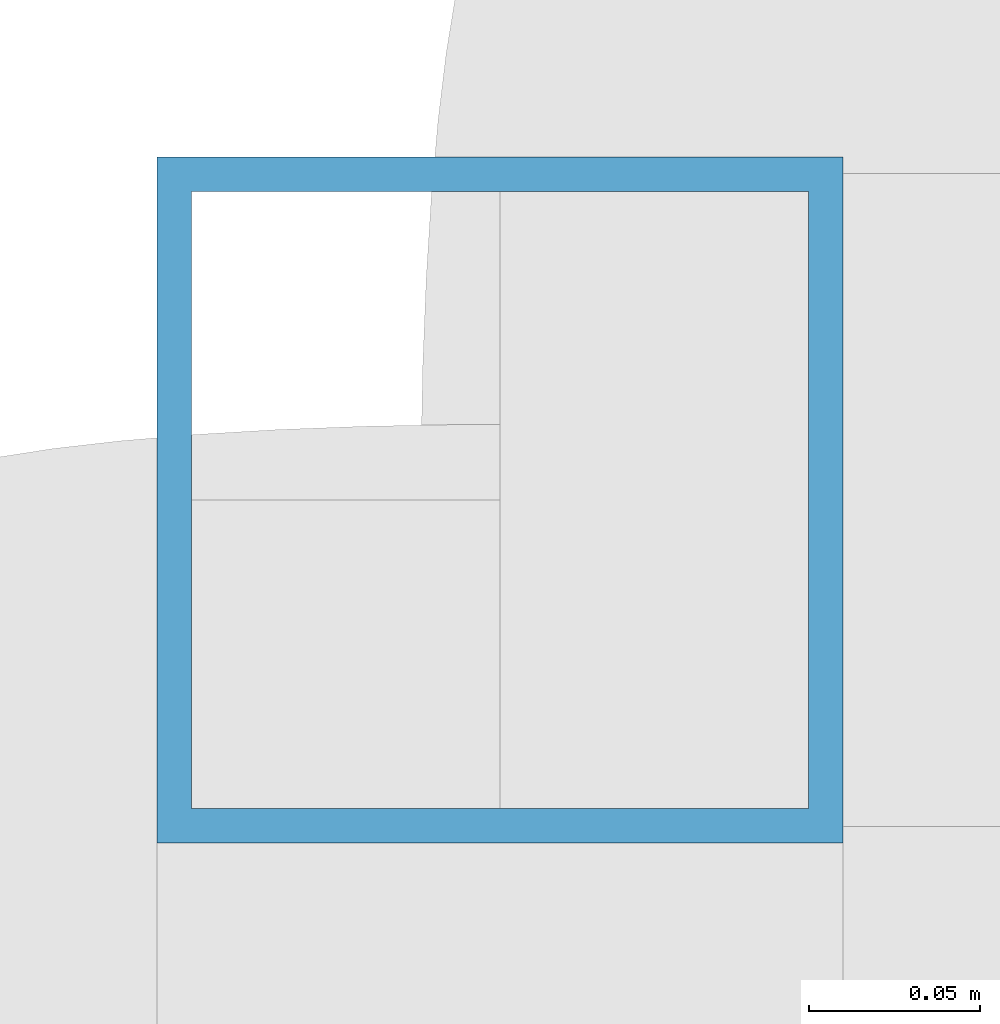
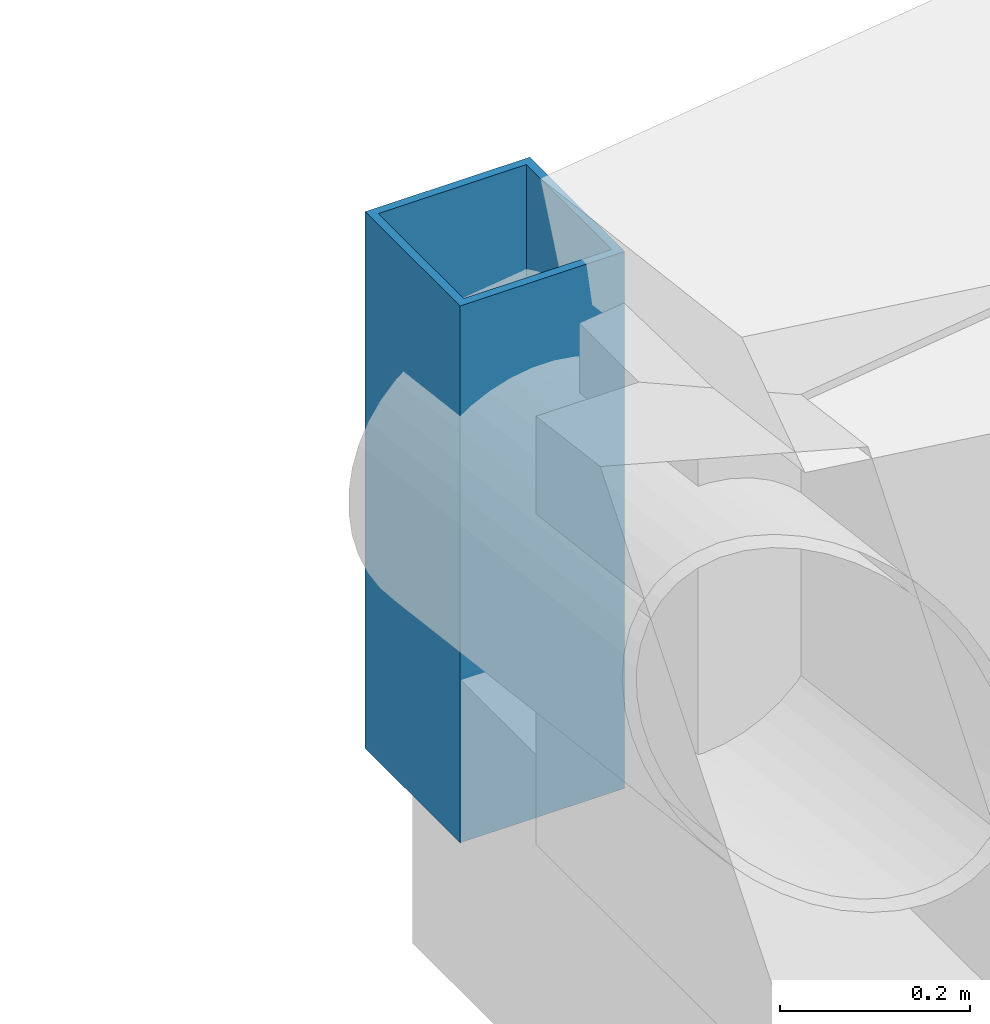
# One storey, part 27 of 44: 1 member.
"""IFC4 building model written with IfcOpenShell, lengths in metres."""

from ifc_helpers import new_model, si_unit, direction, frame, origin, origin_2d, place, context, subcontext, project, spatial, hollow_rectangle, extrude, material, material_profile, profile_set, type_object, element, save


model = new_model("IFC4")

# Units and contexts
model_context = context("Model", 3, precision=1e-05, world=origin(), true_north=direction((0.0, 1.0)))
body_context = subcontext(model_context, "Body", "Model", "MODEL_VIEW")
ifc_project = project(units=[si_unit("LENGTHUNIT", "METRE"), si_unit("AREAUNIT", "SQUARE_METRE"), si_unit("VOLUMEUNIT", "CUBIC_METRE"), si_unit("PLANEANGLEUNIT", "RADIAN"), si_unit("MASSUNIT", "GRAM", prefix="KILO")], contexts=[model_context])

# Site, building, storey
site_placement = place(None, origin())
site = spatial("IfcSite", under=ifc_project, at=site_placement, CompositionType="ELEMENT")
building_placement = place(site_placement, origin())
building = spatial("IfcBuilding", under=site, at=building_placement, Name="Tenunan Teduh Sports Hall", CompositionType="ELEMENT")
storey_placement = place(building_placement, frame((0.0, 0.0, 19.199951171875)))
storey = spatial("IfcBuildingStorey", under=building, at=storey_placement, Name="L04", CompositionType="ELEMENT", Elevation=19.199951171875)

# Member
ifc_material = material(Name="Steel S355", Category="steel")
ifc_material_profile = material_profile(ifc_material, hollow_rectangle(XDim=0.199951171875, YDim=0.199951171875, WallThickness=0.010009765625, at=origin_2d()), Name="SHS 200x200x10.0")
ifc_profile_set = profile_set([ifc_material_profile], Name="Steel S355")
member_type = type_object("IfcMemberType", Name="MEM-ST-SHS200", PredefinedType="STRUT", material=ifc_profile_set)
member_placement = place(storey_placement, frame((122.0, 78.0, -0.39990234375), z_axis=(0.0, 0.0, 1.0), x_axis=(1.0, 0.0, 0.0)))
element("IfcMember", 1, at=member_placement, inside=storey, type_object=member_type, Name="MEM-VS-02-L04-0844", PredefinedType="STRUT", context=body_context, shape_type="SweptSolid", body=[
    extrude(hollow_rectangle(XDim=0.199951171875, YDim=0.199951171875, WallThickness=0.010009765625, at=origin_2d()), origin(), (0.0, 0.0, 1.0), 0.68994140625),
])

save(model, "model.ifc")
